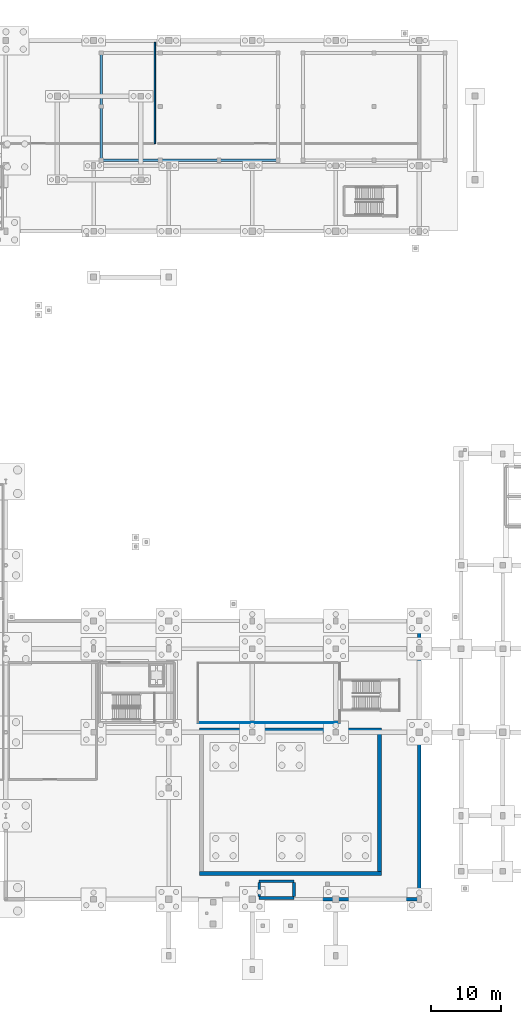
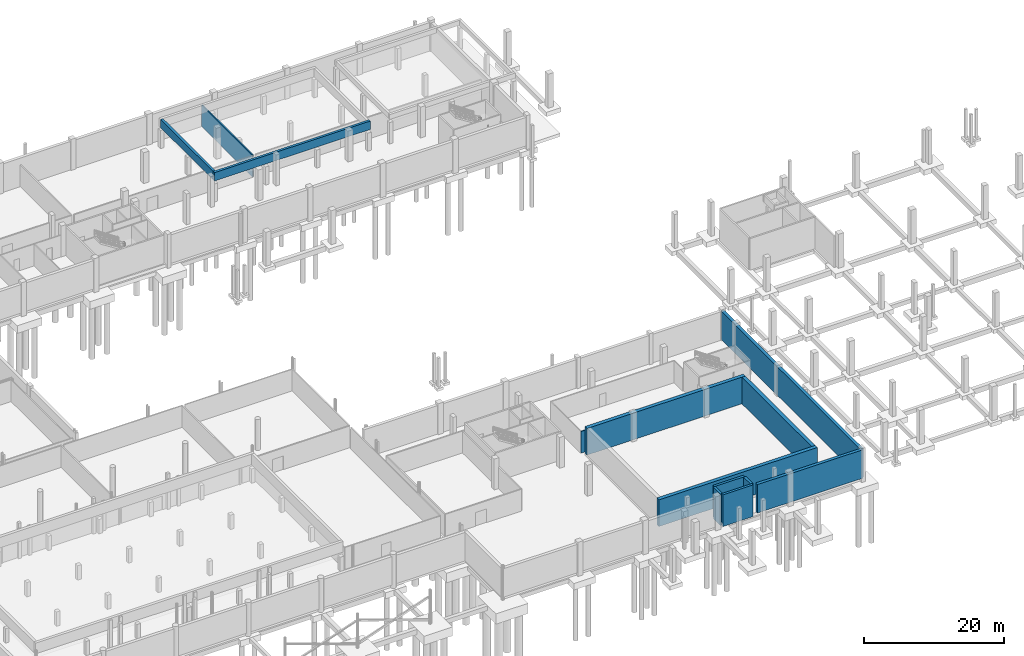
# One storey, part 32 of 42: 13 walls.
"""IFC4 building model written with IfcOpenShell, lengths in metres."""

from ifc_helpers import new_model, si_unit, direction, frame, frame_2d, origin, place, context, subcontext, project, spatial, rectangle, extrude, material, layer, layer_set, type_object, element, save


model = new_model("IFC4")

# Units and contexts
model_context = context("Model", 3, precision=1e-05, world=origin(), true_north=direction((0.0, 1.0)))
body_context = subcontext(model_context, "Body", "Model", "MODEL_VIEW")
ifc_project = project(units=[si_unit("LENGTHUNIT", "METRE"), si_unit("AREAUNIT", "SQUARE_METRE"), si_unit("VOLUMEUNIT", "CUBIC_METRE"), si_unit("PLANEANGLEUNIT", "RADIAN"), si_unit("MASSUNIT", "GRAM", prefix="KILO"), si_unit("THERMODYNAMICTEMPERATUREUNIT", "KELVIN"), si_unit("POWERUNIT", "WATT")], contexts=[model_context])

# Site, building, storey
site_placement = place(None, origin())
site = spatial("IfcSite", under=ifc_project, at=site_placement, CompositionType="ELEMENT")
building_placement = place(site_placement, origin())
building = spatial("IfcBuilding", under=site, at=building_placement, Name="Solmara Park Aquatics Centre", CompositionType="ELEMENT")
storey_placement = place(building_placement, frame((0.0, 0.0, -5.39990234375)))
storey = spatial("IfcBuildingStorey", under=building, at=storey_placement, Name="B1", CompositionType="ELEMENT", Elevation=-5.39990234375)

# Walls
ifc_material_1 = material(Name="Double-Stud Acoustic Gypsum Partition", Category="gypsum")
ifc_layer_1 = layer(ifc_material_1, 0.139892578125, Name="Double-Stud Acoustic Gypsum Partition")
ifc_layer_set_1 = layer_set([ifc_layer_1], Name="Double-Stud Acoustic Gypsum Partition")
wall_type_1 = type_object("IfcWallType", Name="ARC-WL-ACU140", PredefinedType="PARTITIONING", material=ifc_layer_set_1)
wall_1_placement = place(storey_placement, frame((124.199951171875, 38.0, 0.0), z_axis=(0.0, 0.0, 1.0), x_axis=(1.0, 0.0, 0.0)))
element("IfcWall", 1, at=wall_1_placement, inside=storey, type_object=wall_type_1, Name="Interior Partition IW-B1-0019 (B1-OBS-01)", PredefinedType="PARTITIONING", context=body_context, shape_type="SweptSolid", body=[
    extrude(rectangle(XDim=20.400146484375, YDim=0.139892578125, at=frame_2d((10.2001953125, 0.0))), origin(), (0.0, 0.0, 1.0), 3.7998046875),
])
ifc_material_2 = material(Name="Concrete C25/30 Autoclaved Aerated Fire Blockwork", Category="masonry")
ifc_layer_2 = layer(ifc_material_2, 0.199951171875, Name="Concrete C25/30 Autoclaved Aerated Fire Blockwork")
ifc_layer_set_2 = layer_set([ifc_layer_2], Name="Concrete C25/30 Autoclaved Aerated Fire Blockwork")
wall_type_2 = type_object("IfcWallType", Name="ARC-WL-FIRE200", PredefinedType="SOLIDWALL", material=ifc_layer_set_2)
wall_2_placement = place(storey_placement, frame((118.0, 121.199951171875, 0.0), z_axis=(0.0, 0.0, 1.0), x_axis=(0.0, 1.0, 0.0)))
element("IfcWall", 2, at=wall_2_placement, inside=storey, type_object=wall_type_2, Name="Interior Partition IW-B1-0039 (B1-CHL-01)", PredefinedType="SOLIDWALL", context=body_context, shape_type="SweptSolid", body=[
    extrude(rectangle(XDim=14.550048828125, YDim=0.199951171875, at=frame_2d((7.27490234375, 0.0))), origin(), (0.0, 0.0, 1.0), 3.7998046875),
])
ifc_material_3 = material(Name="Concrete C40/50", Category="concrete")
ifc_layer_3 = layer(ifc_material_3, 0.39990234375, Name="Concrete C40/50")
ifc_layer_set_3 = layer_set([ifc_layer_3], Name="Concrete C40/50")
wall_type_3 = type_object("IfcWallType", Name="STR-WL-CORE400", PredefinedType="SHEAR", material=ifc_layer_set_3)
for number, where, z_axis, x_axis, name in (
    (3, (133.0, 12.800048828125, -0.550048828125), (0.0, 0.0, 1.0), (1.0, 0.0, 0.0), "Diving Tower Core Wall S B1"),
    (4, (133.0, 15.199951171875, -0.550048828125), (0.0, 0.0, 1.0), (1.0, 0.0, 0.0), "Diving Tower Core Wall N B1"),
):
    element("IfcWall", number, at=place(storey_placement, frame(where, z_axis=z_axis, x_axis=x_axis)), inside=storey, type_object=wall_type_3, Name=name, PredefinedType="SHEAR", context=body_context, shape_type="SweptSolid", body=[
        extrude(rectangle(XDim=5.0, YDim=0.39990234375, at=frame_2d((2.5, 0.0))), origin(), (0.0, 0.0, 1.0), 5.530029296875),
    ])
for number, where, z_axis, x_axis, name in (
    (5, (133.0, 13.0, -0.550048828125), (0.0, 0.0, 1.0), (0.0, 1.0, 0.0), "Diving Tower Core Wall W B1"),
    (6, (138.0, 13.0, -0.550048828125), (0.0, 0.0, 1.0), (0.0, 1.0, 0.0), "Diving Tower Core Wall E B1"),
):
    element("IfcWall", number, at=place(storey_placement, frame(where, z_axis=z_axis, x_axis=x_axis)), inside=storey, type_object=wall_type_3, Name=name, PredefinedType="SHEAR", context=body_context, shape_type="SweptSolid", body=[
        extrude(rectangle(XDim=2.0, YDim=0.39990234375, at=frame_2d((1.0, 0.0))), origin(), (0.0, 0.0, 1.0), 5.530029296875),
    ])
ifc_material_4 = material(Name="Watertight Concrete C45/55", Category="concrete")
ifc_layer_4 = layer(ifc_material_4, 0.5, Name="Watertight Concrete C45/55")
ifc_layer_set_4 = layer_set([ifc_layer_4], Name="Watertight Concrete C45/55")
wall_type_4 = type_object("IfcWallType", Name="STR-WL-RET500", PredefinedType="USERDEFINED", material=ifc_layer_set_4)
wall_3_placement = place(storey_placement, frame((138.60009765625, 12.60009765625, 0.0), z_axis=(0.0, 0.0, 1.0), x_axis=(1.0, 0.0, 0.0)))
element("IfcWall", 7, at=wall_3_placement, inside=storey, type_object=wall_type_4, Name="Basement Perimeter Retaining Wall 04", ObjectType="RETAINING WALL", PredefinedType="USERDEFINED", context=body_context, shape_type="SweptSolid", body=[
    extrude(rectangle(XDim=17.39990234375, YDim=0.5, at=frame_2d((8.699951171875, 0.0))), origin(), (0.0, 0.0, 1.0), 4.97998046875),
])
wall_4_placement = place(storey_placement, frame((156.0, 12.60009765625, 0.0), z_axis=(0.0, 0.0, 1.0), x_axis=(0.0, 1.0, 0.0)))
element("IfcWall", 8, at=wall_4_placement, inside=storey, type_object=wall_type_4, Name="Basement Perimeter Retaining Wall 05", ObjectType="RETAINING WALL", PredefinedType="USERDEFINED", context=body_context, shape_type="SweptSolid", body=[
    extrude(rectangle(XDim=40.0, YDim=0.5, at=frame_2d((20.0, 0.0))), origin(), (0.0, 0.0, 1.0), 4.97998046875),
])
ifc_layer_5 = layer(ifc_material_4, 0.39990234375, Name="Watertight Concrete C45/55")
ifc_layer_set_5 = layer_set([ifc_layer_5], Name="Watertight Concrete C45/55")
wall_type_5 = type_object("IfcWallType", Name="STR-WL-TANK400", PredefinedType="SOLIDWALL", material=ifc_layer_set_5)
wall_5_placement = place(storey_placement, frame((110.10009765625, 118.800048828125, 3.599853515625), z_axis=(0.0, 0.0, 1.0), x_axis=(1.0, 0.0, 0.0)))
element("IfcWall", 9, at=wall_5_placement, inside=storey, type_object=wall_type_5, Name="25m Training Pool Watertight Wall WL-POOL-3-S", PredefinedType="SOLIDWALL", context=body_context, shape_type="SweptSolid", body=[
    extrude(rectangle(XDim=25.7998046875, YDim=0.39990234375, at=frame_2d((12.89990234375, 0.0))), origin(), (0.0, 0.0, 1.0), 1.4599609375),
])
wall_6_placement = place(storey_placement, frame((110.300048828125, 119.0, 3.599853515625), z_axis=(0.0, 0.0, 1.0), x_axis=(0.0, 1.0, 0.0)))
element("IfcWall", 10, at=wall_6_placement, inside=storey, type_object=wall_type_5, Name="25m Training Pool Watertight Wall WL-POOL-3-W", PredefinedType="SOLIDWALL", context=body_context, shape_type="SweptSolid", body=[
    extrude(rectangle(XDim=15.0, YDim=0.39990234375, at=frame_2d((7.5, 0.0))), origin(), (0.0, 0.0, 1.0), 1.4599609375),
])
ifc_layer_6 = layer(ifc_material_4, 0.60009765625, Name="Watertight Concrete C45/55")
ifc_layer_set_6 = layer_set([ifc_layer_6], Name="Watertight Concrete C45/55")
wall_type_6 = type_object("IfcWallType", Name="STR-WL-TANK600", PredefinedType="SOLIDWALL", material=ifc_layer_set_6)
for number, where, z_axis, x_axis, name in (
    (11, (124.39990234375, 16.300048828125, 0.39990234375), (0.0, 0.0, 1.0), (1.0, 0.0, 0.0), "Diving Well Pool Watertight Wall WL-POOL-2-S"),
    (12, (124.39990234375, 36.89990234375, 0.39990234375), (0.0, 0.0, 1.0), (1.0, 0.0, 0.0), "Diving Well Pool Watertight Wall WL-POOL-2-N"),
):
    element("IfcWall", number, at=place(storey_placement, frame(where, z_axis=z_axis, x_axis=x_axis)), inside=storey, type_object=wall_type_6, Name=name, PredefinedType="SOLIDWALL", context=body_context, shape_type="SweptSolid", body=[
        extrude(rectangle(XDim=26.2001953125, YDim=0.60009765625, at=frame_2d((13.10009765625, 0.0))), origin(), (0.0, 0.0, 1.0), 4.659912109375),
    ])
wall_7_placement = place(storey_placement, frame((150.300048828125, 16.60009765625, 0.39990234375), z_axis=(0.0, 0.0, 1.0), x_axis=(0.0, 1.0, 0.0)))
element("IfcWall", 13, at=wall_7_placement, inside=storey, type_object=wall_type_6, Name="Diving Well Pool Watertight Wall WL-POOL-2-E", PredefinedType="SOLIDWALL", context=body_context, shape_type="SweptSolid", body=[
    extrude(rectangle(XDim=20.0, YDim=0.60009765625, at=frame_2d((10.0, 0.0))), origin(), (0.0, 0.0, 1.0), 4.659912109375),
])

save(model, "model.ifc")
